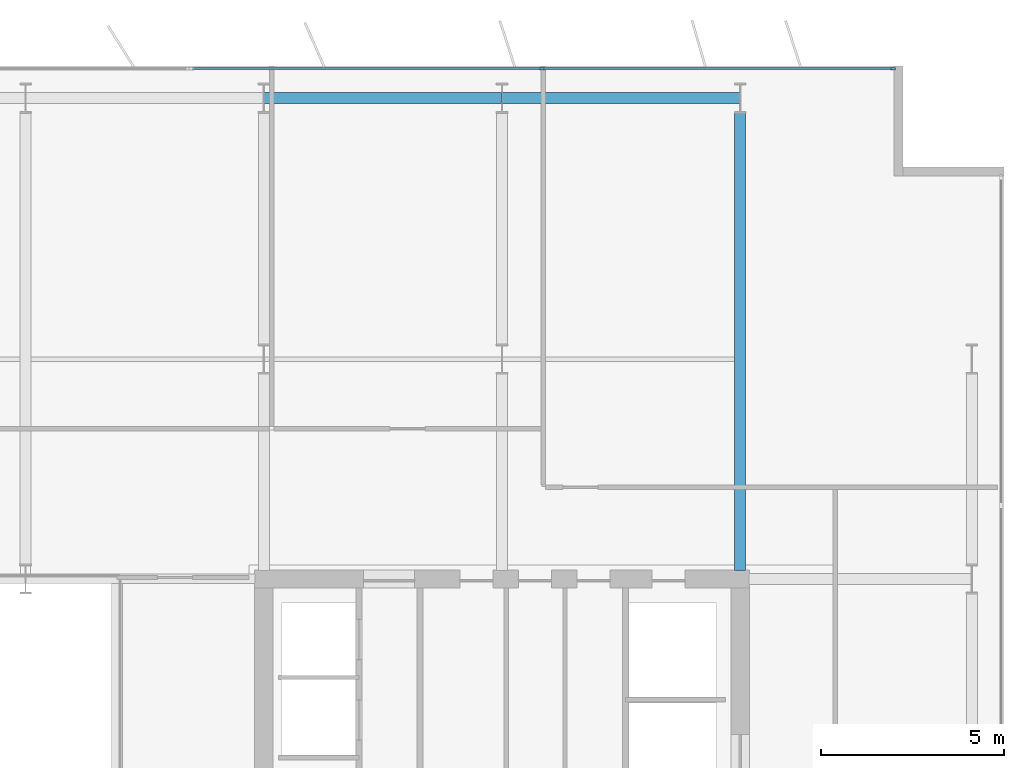
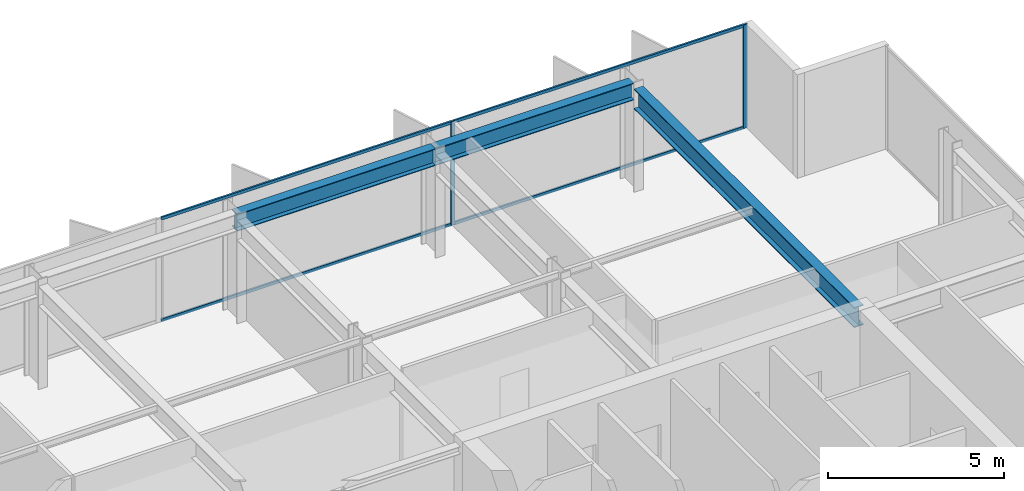
# One storey, part 13 of 23: 6 members, 3 beams, 1 element without a shape of its own.
"""IFC4 building model written with IfcOpenShell, lengths in metres."""

import ifcopenshell
import ifcopenshell.guid

model = None  # the IFC model being written
_history = None  # IfcOwnerHistory: only IFC2X3 demands one
_inside = {}  # id of a spatial element -> (the spatial element, [elements in it])
_under = {}  # id of a project, library or spatial element -> (it, [spatial elements below it])
_declared = {}  # id of a project -> (the project, [libraries it declares])
_typed = {}  # id of a type object -> (the type object, [elements of that type])
_made_of = {}  # id of a material, layer set ... -> (it, [elements and type objects made of it])


def new_model(schema):
    """Start an empty IFC model of exactly this schema.

    Asked for "IFC4X3", IfcOpenShell would pick the latest addendum, in which some entities
    have other attributes; the version numbers below select the first issue.
    IFC2X3 requires an IfcOwnerHistory on every rooted entity: one is made here for all.
    """
    global model, _history
    if schema == "IFC4X3":
        model = ifcopenshell.file(schema_version=(4, 3, 0, 0))
    else:
        model = ifcopenshell.file(schema=schema)
    _inside.clear()
    _under.clear()
    _declared.clear()
    _typed.clear()
    _made_of.clear()
    _history = None
    if model.schema == "IFC2X3":
        org = make("IfcOrganization", Name="unknown")
        user = make(
            "IfcPersonAndOrganization",
            ThePerson=make("IfcPerson", FamilyName="unknown"),
            TheOrganization=org,
        )
        app = make(
            "IfcApplication",
            ApplicationDeveloper=org,
            Version="unknown",
            ApplicationFullName="unknown",
            ApplicationIdentifier="unknown",
        )
        _history = make(
            "IfcOwnerHistory",
            OwningUser=user,
            OwningApplication=app,
            ChangeAction="ADDED",
            CreationDate=0,
        )
    return model


def make(cls, **values):
    """One entity of the class cls with the attributes given. An attribute that is None is left unset."""
    return model.create_entity(
        cls, **{name: value for name, value in values.items() if value is not None}
    )


def rooted(cls, **values):
    """An entity with a GlobalId (a new one), such as an element, a storey or a relation."""
    return make(cls, GlobalId=ifcopenshell.guid.new(), OwnerHistory=_history, **values)


def si_unit(unit_type, name, prefix=None):
    """IfcSIUnit, for example si_unit("LENGTHUNIT", "METRE", prefix="MILLI")."""
    return make("IfcSIUnit", UnitType=unit_type, Prefix=prefix, Name=name)


def assignment(units):
    """IfcUnitAssignment: the units of a project."""
    return None if units is None else make("IfcUnitAssignment", Units=units)


def point(xyz):
    """IfcCartesianPoint."""
    return None if xyz is None else make("IfcCartesianPoint", Coordinates=xyz)


def direction(xyz):
    """IfcDirection."""
    return None if xyz is None else make("IfcDirection", DirectionRatios=xyz)


def frame(location, z_axis=None, x_axis=None):
    """IfcAxis2Placement3D, a coordinate frame: its origin and axes. An axis left out is left unset."""
    return make(
        "IfcAxis2Placement3D",
        Location=point(location),
        Axis=direction(z_axis),
        RefDirection=direction(x_axis),
    )


def frame_2d(location, x_axis=None):
    """IfcAxis2Placement2D, a coordinate frame in the plane: its origin and x axis."""
    return make(
        "IfcAxis2Placement2D", Location=point(location), RefDirection=direction(x_axis)
    )


def origin():
    """The frame at (0, 0, 0) with its axes left unset."""
    return frame((0.0, 0.0, 0.0))


def origin_2d():
    """The frame at (0, 0) in the plane with its x axis left unset."""
    return frame_2d((0.0, 0.0))


def place(relative_to, where):
    """IfcLocalPlacement: puts the frame where relative to a parent placement (None: the world)."""
    return make(
        "IfcLocalPlacement", PlacementRelTo=relative_to, RelativePlacement=where
    )


def context(
    kind, dimensions, precision=None, world=None, true_north=None, identifier=None
):
    """IfcGeometricRepresentationContext, for example the 3D "Model" context."""
    return make(
        "IfcGeometricRepresentationContext",
        ContextIdentifier=identifier,
        ContextType=kind,
        CoordinateSpaceDimension=dimensions,
        Precision=precision,
        WorldCoordinateSystem=world,
        TrueNorth=true_north,
    )


def subcontext(parent, identifier, kind, view, scale=None):
    """IfcGeometricRepresentationSubContext, for example "Body" below "Model"."""
    return make(
        "IfcGeometricRepresentationSubContext",
        ContextIdentifier=identifier,
        ContextType=kind,
        ParentContext=parent,
        TargetScale=scale,
        TargetView=view,
    )


def project(units=None, contexts=None):
    """IfcProject with its units and contexts."""
    return rooted(
        "IfcProject",
        Name="project",
        RepresentationContexts=contexts,
        UnitsInContext=assignment(units),
    )


def spatial(cls, under=None, at=None, **own):
    """A site, building, storey or space (cls), placed at a placement, below another one or the project."""
    s = rooted(cls, ObjectPlacement=at, **own)
    if under is not None:
        _under.setdefault(under.id(), (under, []))[1].append(s)
    return s


def profile(cls, at=None, kind="AREA", **sizes):
    """A parametric profile (cls). Its sizes go by their IFC names, for example OverallWidth=200.0."""
    return make(cls, ProfileType=kind, Position=at, **sizes)


def rectangle(**sizes):
    """IfcRectangleProfileDef."""
    return profile("IfcRectangleProfileDef", **sizes)


def i_section(**sizes):
    """IfcIShapeProfileDef."""
    return profile("IfcIShapeProfileDef", **sizes)


def extrude(swept, where, along, depth):
    """IfcExtrudedAreaSolid: the profile swept, set in the frame where, extruded along a direction by depth."""
    return make(
        "IfcExtrudedAreaSolid",
        SweptArea=swept,
        Position=where,
        ExtrudedDirection=direction(along),
        Depth=depth,
    )


def shape(context_of_items, identifier, shape_type, items):
    """IfcShapeRepresentation: the items that make up one representation, for example the "Body"."""
    return make(
        "IfcShapeRepresentation",
        ContextOfItems=context_of_items,
        RepresentationIdentifier=identifier,
        RepresentationType=shape_type,
        Items=items,
    )


def material(Name=None, Category=None):
    """IfcMaterial."""
    return make("IfcMaterial", Name=Name, Category=Category)


def layer(
    of_material, thickness, ventilated=None, Name=None, Category=None, Priority=None
):
    """IfcMaterialLayer: one layer of a wall or slab, of a material (None: an air gap)."""
    return make(
        "IfcMaterialLayer",
        Material=of_material,
        LayerThickness=thickness,
        IsVentilated=ventilated,
        Name=Name,
        Category=Category,
        Priority=Priority,
    )


def layer_set(layers, Name=None):
    """IfcMaterialLayerSet."""
    return make("IfcMaterialLayerSet", MaterialLayers=layers, LayerSetName=Name)


def material_profile(
    of_material, cross_section, Name=None, Category=None, Priority=None
):
    """IfcMaterialProfile: a cross section and its material."""
    return make(
        "IfcMaterialProfile",
        Name=Name,
        Material=of_material,
        Profile=cross_section,
        Priority=Priority,
        Category=Category,
    )


def profile_set(profiles, Name=None, composite=None):
    """IfcMaterialProfileSet."""
    return make(
        "IfcMaterialProfileSet",
        Name=Name,
        MaterialProfiles=profiles,
        CompositeProfile=composite,
    )


def made_of(thing, what):
    """Note that an element or type object is made of a material, layer set ...; save() writes the relation."""
    if what is not None:
        _made_of.setdefault(what.id(), (what, []))[1].append(thing)
    return thing


def type_object(cls, material=None, **own):
    """A type object (cls), such as IfcWallType, which elements share."""
    return made_of(rooted(cls, **own), material)


def element(
    cls,
    number,
    at=None,
    inside=None,
    cuts=None,
    type_object=None,
    material=None,
    context=None,
    identifier="Body",
    shape_type=None,
    held_by="IfcProductDefinitionShape",
    body=None,
    shapes=None,
    **own,
):
    """One element of the class cls, such as IfcWall. Its Tag is "e" and its number.

    at: its placement. inside: the storey or other place that contains it. cuts: it is an
    opening in that element (IfcRelVoidsElement). A single representation is given by context,
    identifier, shape_type and body (its items); several are given by shapes. held_by: the class
    of the entity that holds the representations. save() writes the other relations.
    """
    e = rooted(cls, Tag="e%d" % number, ObjectPlacement=at, **own)
    if body is not None:
        shapes = [shape(context, identifier, shape_type, body)]
    if shapes is not None:
        e.Representation = make(held_by, Representations=shapes)
    if inside is not None:
        _inside.setdefault(inside.id(), (inside, []))[1].append(e)
    if cuts is not None:
        rooted(
            "IfcRelVoidsElement", RelatingBuildingElement=cuts, RelatedOpeningElement=e
        )
    if type_object is not None:
        _typed.setdefault(type_object.id(), (type_object, []))[1].append(e)
    return made_of(e, material)


def aggregate(whole, parts):
    """IfcRelAggregates: a whole, such as a stair, and the parts it consists of."""
    return rooted("IfcRelAggregates", RelatingObject=whole, RelatedObjects=parts)


def save(model, path):
    """Write the relations noted so far, then the file.

    IfcRelAggregates (storeys below a building ...), IfcRelContainedInSpatialStructure (elements
    in a storey), IfcRelDefinesByType, IfcRelAssociatesMaterial and IfcRelDeclares: one each for
    every whole, place, type object, material and project.
    """
    for whole, parts in _under.values():
        aggregate(whole, parts)
    for where, things in _inside.values():
        rooted(
            "IfcRelContainedInSpatialStructure",
            RelatedElements=things,
            RelatingStructure=where,
        )
    for kind, things in _typed.values():
        rooted("IfcRelDefinesByType", RelatedObjects=things, RelatingType=kind)
    for what, things in _made_of.values():
        rooted("IfcRelAssociatesMaterial", RelatedObjects=things, RelatingMaterial=what)
    for by, libraries in _declared.values():
        rooted("IfcRelDeclares", RelatingContext=by, RelatedDefinitions=libraries)
    model.write(path)


model = new_model("IFC4")

# Units and contexts
model_context = context("Model", 3, precision=1e-05, world=origin(), true_north=direction((0.0, 1.0)))
body_context = subcontext(model_context, "Body", "Model", "MODEL_VIEW")
ifc_project = project(units=[si_unit("LENGTHUNIT", "METRE"), si_unit("AREAUNIT", "SQUARE_METRE"), si_unit("VOLUMEUNIT", "CUBIC_METRE"), si_unit("PLANEANGLEUNIT", "RADIAN"), si_unit("MASSUNIT", "GRAM", prefix="KILO")], contexts=[model_context])

# Site, building, storey
site_placement = place(None, origin())
site = spatial("IfcSite", under=ifc_project, at=site_placement, CompositionType="ELEMENT")
building_placement = place(site_placement, origin())
building = spatial("IfcBuilding", under=site, at=building_placement, Name="Putna Gate Headquarters", CompositionType="ELEMENT")
storey_placement = place(building_placement, frame((0.0, 0.0, 213.800048828125)))
storey = spatial("IfcBuildingStorey", under=building, at=storey_placement, Name="L53", CompositionType="ELEMENT", Elevation=213.800048828125)

# Beams
ifc_material_1 = material(Name="Steel S355J2", Category="steel")
ifc_material_profile_1 = material_profile(ifc_material_1, i_section(OverallWidth=0.300048828125, OverallDepth=0.699951171875, WebThickness=0.01708984375, FlangeThickness=0.031982421875, at=origin_2d()), Name="Steel S355J2")
ifc_profile_set_1 = profile_set([ifc_material_profile_1], Name="Steel S355J2")
beam_type_1 = type_object("IfcBeamType", Name="BM-GIRD-B-HEB700", PredefinedType="USERDEFINED", material=ifc_profile_set_1)
beam_placement = place(storey_placement, frame((65.0, 33.235107421875, 3.22998046875), z_axis=(0.0, 1.0, 0.0), x_axis=(-1.0, 0.0, 0.0)))
element("IfcBeam", 1, at=beam_placement, inside=storey, type_object=beam_type_1, Name="L53 North Primary Girder X65", ObjectType="GIRDER", PredefinedType="USERDEFINED", context=body_context, shape_type="SweptSolid", body=[
    extrude(i_section(OverallWidth=0.300048828125, OverallDepth=0.699951171875, WebThickness=0.01708984375, FlangeThickness=0.031982421875, at=origin_2d()), origin(), (0.0, 0.0, 1.0), 12.489990234375),
])
ifc_material_profile_2 = material_profile(ifc_material_1, i_section(OverallWidth=0.300048828125, OverallDepth=0.590087890625, WebThickness=0.012939453125, FlangeThickness=0.02490234375, at=origin_2d()), Name="Steel S355J2")
ifc_profile_set_2 = profile_set([ifc_material_profile_2], Name="Steel S355J2")
beam_type_2 = type_object("IfcBeamType", Name="BM-SPAN-Z4-HEA600", PredefinedType="SPANDREL", material=ifc_profile_set_2)
for number, where, z_axis, x_axis, name in (
    (2, (52.006103515625, 46.1201171875, 3.284912109375), (1.0, 0.0, 0.0), (0.0, 1.0, 0.0), "L53 N Perimeter Spandrel 7"),
    (3, (58.506103515625, 46.1201171875, 3.284912109375), (1.0, 0.0, 0.0), (0.0, 1.0, 0.0), "L53 N Perimeter Spandrel 8"),
):
    element("IfcBeam", number, at=place(storey_placement, frame(where, z_axis=z_axis, x_axis=x_axis)), inside=storey, type_object=beam_type_2, Name=name, PredefinedType="SPANDREL", context=body_context, shape_type="SweptSolid", body=[
        extrude(i_section(OverallWidth=0.300048828125, OverallDepth=0.590087890625, WebThickness=0.012939453125, FlangeThickness=0.02490234375, at=origin_2d()), origin(), (0.0, 0.0, 1.0), 6.48779296875),
    ])

# Curtain wall, members
ifc_material_2 = material(Name="Anodised bronze aluminium curtain wall", Category="aluminium")
ifc_layer = layer(ifc_material_2, 0.139892578125)
ifc_layer_set = layer_set([ifc_layer], Name="Anodised bronze aluminium curtain wall")
curtain_wall_type = type_object("IfcCurtainWallType", Name="CW-SYS-Z4", PredefinedType="USERDEFINED", material=ifc_layer_set)
curtain_wall_placement = place(storey_placement, origin())
curtain_wall = element("IfcCurtainWall", 4, at=curtain_wall_placement, inside=storey, type_object=curtain_wall_type, Name="L53 North East Curtain Wall", ObjectType="STICK CURTAIN WALL", PredefinedType="USERDEFINED")
ifc_material_3 = material(Name="Anodised bronze aluminium EN AW-6060", Category="aluminium")
ifc_material_profile_3 = material_profile(ifc_material_3, rectangle(XDim=0.06005859375, YDim=0.139892578125, at=origin_2d()), Name="Anodised bronze aluminium EN AW-6060")
ifc_profile_set_3 = profile_set([ifc_material_profile_3], Name="Anodised bronze aluminium EN AW-6060")
member_type_1 = type_object("IfcMemberType", Name="MULL-CWM-4", PredefinedType="MULLION", material=ifc_profile_set_3)
member_1_placement = place(storey_placement, frame((59.60009765625, 46.919921875, 0.0), z_axis=(0.0, 0.0, 1.0), x_axis=(0.0, 1.0, 0.0)))
member_1 = element("IfcMember", 5, at=member_1_placement, type_object=member_type_1, Name="CWS-4 mullion 2", PredefinedType="MULLION", context=body_context, shape_type="SweptSolid", body=[
    extrude(rectangle(XDim=0.06005859375, YDim=0.139892578125, at=origin_2d()), origin(), (0.0, 0.0, 1.0), 3.579833984375),
])
member_2_placement = place(storey_placement, frame((69.169921875, 46.919921875, 0.0), z_axis=(0.0, 0.0, 1.0), x_axis=(0.0, 1.0, 0.0)))
member_2 = element("IfcMember", 6, at=member_2_placement, type_object=member_type_1, Name="CWS-4 mullion 3", PredefinedType="MULLION", context=body_context, shape_type="SweptSolid", body=[
    extrude(rectangle(XDim=0.06005859375, YDim=0.139892578125, at=origin_2d()), origin(), (0.0, 0.0, 1.0), 3.579833984375),
])
ifc_material_profile_4 = material_profile(ifc_material_3, rectangle(XDim=0.06005859375, YDim=0.10009765625, at=origin_2d()), Name="Anodised bronze aluminium EN AW-6060")
ifc_profile_set_4 = profile_set([ifc_material_profile_4], Name="Anodised bronze aluminium EN AW-6060")
member_type_2 = type_object("IfcMemberType", Name="TRAN-CWT-4", PredefinedType="USERDEFINED", material=ifc_profile_set_4)
member_3_placement = place(storey_placement, frame((50.06005859375, 46.919921875, 0.030029296875), z_axis=(1.0, 0.0, 0.0), x_axis=(0.0, 1.0, 0.0)))
member_3 = element("IfcMember", 7, at=member_3_placement, type_object=member_type_2, Name="CWS-4 transom 1.1", ObjectType="TRANSOM", PredefinedType="USERDEFINED", context=body_context, shape_type="SweptSolid", body=[
    extrude(rectangle(XDim=0.06005859375, YDim=0.10009765625, at=origin_2d()), origin(), (0.0, 0.0, 1.0), 9.510009765625),
])
member_4_placement = place(storey_placement, frame((50.06005859375, 46.919921875, 3.550048828125), z_axis=(1.0, 0.0, 0.0), x_axis=(0.0, 1.0, 0.0)))
member_4 = element("IfcMember", 8, at=member_4_placement, type_object=member_type_2, Name="CWS-4 transom 1.2", ObjectType="TRANSOM", PredefinedType="USERDEFINED", context=body_context, shape_type="SweptSolid", body=[
    extrude(rectangle(XDim=0.06005859375, YDim=0.10009765625, at=origin_2d()), origin(), (0.0, 0.0, 1.0), 9.510009765625),
])
member_5_placement = place(storey_placement, frame((59.6298828125, 46.919921875, 0.030029296875), z_axis=(1.0, 0.0, 0.0), x_axis=(0.0, 1.0, 0.0)))
member_5 = element("IfcMember", 9, at=member_5_placement, type_object=member_type_2, Name="CWS-4 transom 2.1", ObjectType="TRANSOM", PredefinedType="USERDEFINED", context=body_context, shape_type="SweptSolid", body=[
    extrude(rectangle(XDim=0.06005859375, YDim=0.10009765625, at=origin_2d()), origin(), (0.0, 0.0, 1.0), 9.510009765625),
])
member_6_placement = place(storey_placement, frame((59.6298828125, 46.919921875, 3.550048828125), z_axis=(1.0, 0.0, 0.0), x_axis=(0.0, 1.0, 0.0)))
member_6 = element("IfcMember", 10, at=member_6_placement, type_object=member_type_2, Name="CWS-4 transom 2.2", ObjectType="TRANSOM", PredefinedType="USERDEFINED", context=body_context, shape_type="SweptSolid", body=[
    extrude(rectangle(XDim=0.06005859375, YDim=0.10009765625, at=origin_2d()), origin(), (0.0, 0.0, 1.0), 9.510009765625),
])
aggregate(curtain_wall, [member_1, member_2, member_3, member_4, member_5, member_6])

save(model, "model.ifc")
